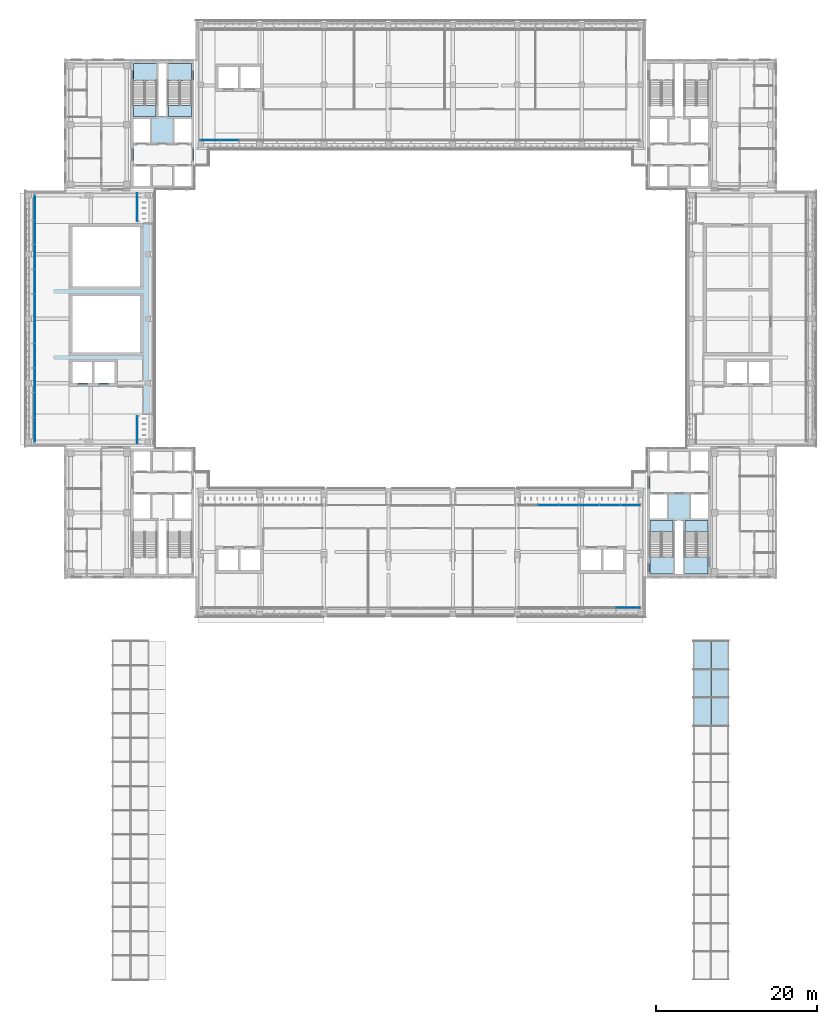
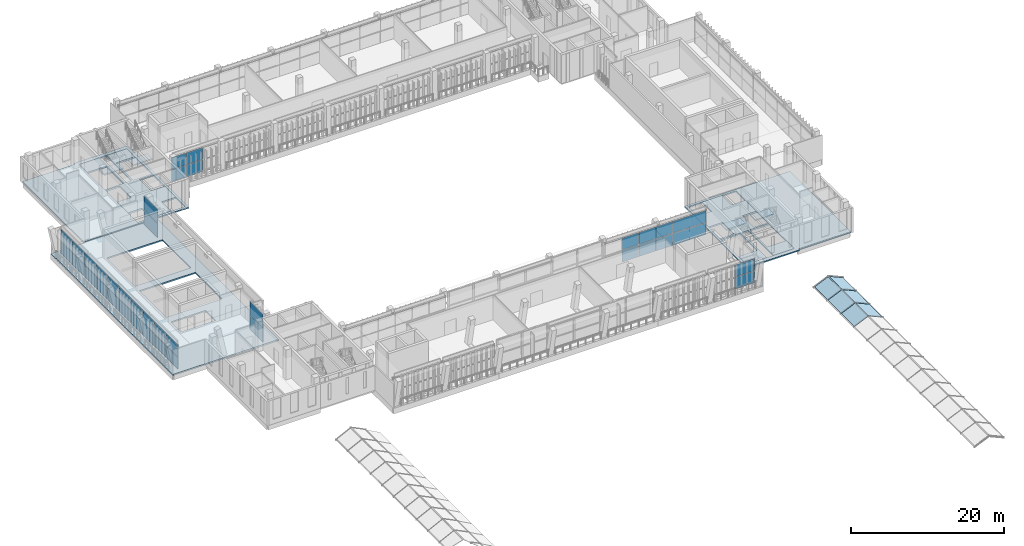
# One storey, part 39 of 73: 46 plates, 9 slabs, 11 elements without a shape of their own.
"""IFC4 building model written with IfcOpenShell, lengths in metres."""

import ifcopenshell
import ifcopenshell.guid

model = None  # the IFC model being written
_history = None  # IfcOwnerHistory: only IFC2X3 demands one
_inside = {}  # id of a spatial element -> (the spatial element, [elements in it])
_under = {}  # id of a project, library or spatial element -> (it, [spatial elements below it])
_declared = {}  # id of a project -> (the project, [libraries it declares])
_typed = {}  # id of a type object -> (the type object, [elements of that type])
_made_of = {}  # id of a material, layer set ... -> (it, [elements and type objects made of it])


def new_model(schema):
    """Start an empty IFC model of exactly this schema.

    Asked for "IFC4X3", IfcOpenShell would pick the latest addendum, in which some entities
    have other attributes; the version numbers below select the first issue.
    IFC2X3 requires an IfcOwnerHistory on every rooted entity: one is made here for all.
    """
    global model, _history
    if schema == "IFC4X3":
        model = ifcopenshell.file(schema_version=(4, 3, 0, 0))
    else:
        model = ifcopenshell.file(schema=schema)
    _inside.clear()
    _under.clear()
    _declared.clear()
    _typed.clear()
    _made_of.clear()
    _history = None
    if model.schema == "IFC2X3":
        org = make("IfcOrganization", Name="unknown")
        user = make(
            "IfcPersonAndOrganization",
            ThePerson=make("IfcPerson", FamilyName="unknown"),
            TheOrganization=org,
        )
        app = make(
            "IfcApplication",
            ApplicationDeveloper=org,
            Version="unknown",
            ApplicationFullName="unknown",
            ApplicationIdentifier="unknown",
        )
        _history = make(
            "IfcOwnerHistory",
            OwningUser=user,
            OwningApplication=app,
            ChangeAction="ADDED",
            CreationDate=0,
        )
    return model


def make(cls, **values):
    """One entity of the class cls with the attributes given. An attribute that is None is left unset."""
    return model.create_entity(
        cls, **{name: value for name, value in values.items() if value is not None}
    )


def rooted(cls, **values):
    """An entity with a GlobalId (a new one), such as an element, a storey or a relation."""
    return make(cls, GlobalId=ifcopenshell.guid.new(), OwnerHistory=_history, **values)


def si_unit(unit_type, name, prefix=None):
    """IfcSIUnit, for example si_unit("LENGTHUNIT", "METRE", prefix="MILLI")."""
    return make("IfcSIUnit", UnitType=unit_type, Prefix=prefix, Name=name)


def assignment(units):
    """IfcUnitAssignment: the units of a project."""
    return None if units is None else make("IfcUnitAssignment", Units=units)


def point(xyz):
    """IfcCartesianPoint."""
    return None if xyz is None else make("IfcCartesianPoint", Coordinates=xyz)


def direction(xyz):
    """IfcDirection."""
    return None if xyz is None else make("IfcDirection", DirectionRatios=xyz)


def frame(location, z_axis=None, x_axis=None):
    """IfcAxis2Placement3D, a coordinate frame: its origin and axes. An axis left out is left unset."""
    return make(
        "IfcAxis2Placement3D",
        Location=point(location),
        Axis=direction(z_axis),
        RefDirection=direction(x_axis),
    )


def frame_2d(location, x_axis=None):
    """IfcAxis2Placement2D, a coordinate frame in the plane: its origin and x axis."""
    return make(
        "IfcAxis2Placement2D", Location=point(location), RefDirection=direction(x_axis)
    )


def origin():
    """The frame at (0, 0, 0) with its axes left unset."""
    return frame((0.0, 0.0, 0.0))


def origin_2d():
    """The frame at (0, 0) in the plane with its x axis left unset."""
    return frame_2d((0.0, 0.0))


def place(relative_to, where):
    """IfcLocalPlacement: puts the frame where relative to a parent placement (None: the world)."""
    return make(
        "IfcLocalPlacement", PlacementRelTo=relative_to, RelativePlacement=where
    )


def context(
    kind, dimensions, precision=None, world=None, true_north=None, identifier=None
):
    """IfcGeometricRepresentationContext, for example the 3D "Model" context."""
    return make(
        "IfcGeometricRepresentationContext",
        ContextIdentifier=identifier,
        ContextType=kind,
        CoordinateSpaceDimension=dimensions,
        Precision=precision,
        WorldCoordinateSystem=world,
        TrueNorth=true_north,
    )


def subcontext(parent, identifier, kind, view, scale=None):
    """IfcGeometricRepresentationSubContext, for example "Body" below "Model"."""
    return make(
        "IfcGeometricRepresentationSubContext",
        ContextIdentifier=identifier,
        ContextType=kind,
        ParentContext=parent,
        TargetScale=scale,
        TargetView=view,
    )


def project(units=None, contexts=None):
    """IfcProject with its units and contexts."""
    return rooted(
        "IfcProject",
        Name="project",
        RepresentationContexts=contexts,
        UnitsInContext=assignment(units),
    )


def spatial(cls, under=None, at=None, **own):
    """A site, building, storey or space (cls), placed at a placement, below another one or the project."""
    s = rooted(cls, ObjectPlacement=at, **own)
    if under is not None:
        _under.setdefault(under.id(), (under, []))[1].append(s)
    return s


def polyline(points):
    """IfcPolyline through the points."""
    return make("IfcPolyline", Points=[point(p) for p in points])


def profile(cls, at=None, kind="AREA", **sizes):
    """A parametric profile (cls). Its sizes go by their IFC names, for example OverallWidth=200.0."""
    return make(cls, ProfileType=kind, Position=at, **sizes)


def rectangle(**sizes):
    """IfcRectangleProfileDef."""
    return profile("IfcRectangleProfileDef", **sizes)


def outline(outer, holes=None, kind="AREA"):
    """IfcArbitraryClosedProfileDef: a profile drawn as a closed curve; with holes, ...WithVoids."""
    if holes is None:
        return make("IfcArbitraryClosedProfileDef", ProfileType=kind, OuterCurve=outer)
    return make(
        "IfcArbitraryProfileDefWithVoids",
        ProfileType=kind,
        OuterCurve=outer,
        InnerCurves=holes,
    )


def extrude(swept, where, along, depth):
    """IfcExtrudedAreaSolid: the profile swept, set in the frame where, extruded along a direction by depth."""
    return make(
        "IfcExtrudedAreaSolid",
        SweptArea=swept,
        Position=where,
        ExtrudedDirection=direction(along),
        Depth=depth,
    )


def shape(context_of_items, identifier, shape_type, items):
    """IfcShapeRepresentation: the items that make up one representation, for example the "Body"."""
    return make(
        "IfcShapeRepresentation",
        ContextOfItems=context_of_items,
        RepresentationIdentifier=identifier,
        RepresentationType=shape_type,
        Items=items,
    )


def material(Name=None, Category=None):
    """IfcMaterial."""
    return make("IfcMaterial", Name=Name, Category=Category)


def layer(
    of_material, thickness, ventilated=None, Name=None, Category=None, Priority=None
):
    """IfcMaterialLayer: one layer of a wall or slab, of a material (None: an air gap)."""
    return make(
        "IfcMaterialLayer",
        Material=of_material,
        LayerThickness=thickness,
        IsVentilated=ventilated,
        Name=Name,
        Category=Category,
        Priority=Priority,
    )


def layer_set(layers, Name=None):
    """IfcMaterialLayerSet."""
    return make("IfcMaterialLayerSet", MaterialLayers=layers, LayerSetName=Name)


def made_of(thing, what):
    """Note that an element or type object is made of a material, layer set ...; save() writes the relation."""
    if what is not None:
        _made_of.setdefault(what.id(), (what, []))[1].append(thing)
    return thing


def type_object(cls, material=None, **own):
    """A type object (cls), such as IfcWallType, which elements share."""
    return made_of(rooted(cls, **own), material)


def element(
    cls,
    number,
    at=None,
    inside=None,
    cuts=None,
    type_object=None,
    material=None,
    context=None,
    identifier="Body",
    shape_type=None,
    held_by="IfcProductDefinitionShape",
    body=None,
    shapes=None,
    **own,
):
    """One element of the class cls, such as IfcWall. Its Tag is "e" and its number.

    at: its placement. inside: the storey or other place that contains it. cuts: it is an
    opening in that element (IfcRelVoidsElement). A single representation is given by context,
    identifier, shape_type and body (its items); several are given by shapes. held_by: the class
    of the entity that holds the representations. save() writes the other relations.
    """
    e = rooted(cls, Tag="e%d" % number, ObjectPlacement=at, **own)
    if body is not None:
        shapes = [shape(context, identifier, shape_type, body)]
    if shapes is not None:
        e.Representation = make(held_by, Representations=shapes)
    if inside is not None:
        _inside.setdefault(inside.id(), (inside, []))[1].append(e)
    if cuts is not None:
        rooted(
            "IfcRelVoidsElement", RelatingBuildingElement=cuts, RelatedOpeningElement=e
        )
    if type_object is not None:
        _typed.setdefault(type_object.id(), (type_object, []))[1].append(e)
    return made_of(e, material)


def aggregate(whole, parts):
    """IfcRelAggregates: a whole, such as a stair, and the parts it consists of."""
    return rooted("IfcRelAggregates", RelatingObject=whole, RelatedObjects=parts)


def save(model, path):
    """Write the relations noted so far, then the file.

    IfcRelAggregates (storeys below a building ...), IfcRelContainedInSpatialStructure (elements
    in a storey), IfcRelDefinesByType, IfcRelAssociatesMaterial and IfcRelDeclares: one each for
    every whole, place, type object, material and project.
    """
    for whole, parts in _under.values():
        aggregate(whole, parts)
    for where, things in _inside.values():
        rooted(
            "IfcRelContainedInSpatialStructure",
            RelatedElements=things,
            RelatingStructure=where,
        )
    for kind, things in _typed.values():
        rooted("IfcRelDefinesByType", RelatedObjects=things, RelatingType=kind)
    for what, things in _made_of.values():
        rooted("IfcRelAssociatesMaterial", RelatedObjects=things, RelatingMaterial=what)
    for by, libraries in _declared.values():
        rooted("IfcRelDeclares", RelatingContext=by, RelatedDefinitions=libraries)
    model.write(path)


model = new_model("IFC4")

# Units and contexts
model_context = context("Model", 3, precision=1e-05, world=origin(), true_north=direction((0.0, 1.0)))
body_context = subcontext(model_context, "Body", "Model", "MODEL_VIEW")
ifc_project = project(units=[si_unit("LENGTHUNIT", "METRE"), si_unit("AREAUNIT", "SQUARE_METRE"), si_unit("VOLUMEUNIT", "CUBIC_METRE"), si_unit("PLANEANGLEUNIT", "RADIAN"), si_unit("MASSUNIT", "GRAM", prefix="KILO")], contexts=[model_context])

# Site, building, storey
site_placement = place(None, origin())
site = spatial("IfcSite", under=ifc_project, at=site_placement, CompositionType="ELEMENT")
building_placement = place(site_placement, origin())
building = spatial("IfcBuilding", under=site, at=building_placement, Name="Lantern Court Media Centre", CompositionType="ELEMENT")
storey_placement = place(building_placement, frame((0.0, 0.0, 24.0)))
storey = spatial("IfcBuildingStorey", under=building, at=storey_placement, Name="L05", CompositionType="ELEMENT", Elevation=24.0)

# Slabs
ifc_material_1 = material(Name="Concrete C40", Category="concrete")
ifc_layer_1 = layer(ifc_material_1, 0.25)
ifc_layer_set_1 = layer_set([ifc_layer_1], Name="Concrete C40")
slab_type_1 = type_object("IfcSlabType", Name="Core floor slab 250", PredefinedType="FLOOR", material=ifc_layer_set_1)
slab_1_placement = place(storey_placement, frame((0.0, 0.0, -0.25)))
element("IfcSlab", 1, at=slab_1_placement, inside=storey, type_object=slab_type_1, Name="L05 SE core floor", PredefinedType="FLOOR", context=body_context, shape_type="SweptSolid", body=[
    extrude(outline(polyline([(87.64990234375, 55.199951171875), (87.64990234375, 54.94970703125), (84.80029296875, 54.94970703125), (84.80029296875, 50.450439453125), (87.64990234375, 50.450439453125), (87.64990234375, 48.35009765625), (84.550048828125, 48.35009765625), (84.550048828125, 54.949951171875), (83.550048828125, 54.949951171875), (83.550048828125, 48.35009765625), (80.449951171875, 48.35009765625), (80.449951171875, 50.450439453125), (83.299560546875, 50.450439453125), (83.299560546875, 54.94970703125), (80.449951171875, 54.94970703125), (80.449951171875, 55.199951171875), (82.550048828125, 55.199951171875), (82.550048828125, 58.199951171875), (80.449951171875, 58.199951171875), (80.449951171875, 61.10009765625), (82.550048828125, 61.10009765625), (82.550048828125, 63.550048828125), (85.550048828125, 63.550048828125), (85.550048828125, 61.10009765625), (87.64990234375, 61.10009765625), (87.64990234375, 58.199951171875), (85.550048828125, 58.199951171875), (85.550048828125, 55.199951171875), (87.64990234375, 55.199951171875)])), origin(), (0.0, 0.0, 1.0), 0.25),
])
slab_2_placement = place(storey_placement, frame((0.0, 0.0, -0.25)))
element("IfcSlab", 2, at=slab_2_placement, inside=storey, type_object=slab_type_1, Name="L05 NW core floor", PredefinedType="FLOOR", context=body_context, shape_type="SweptSolid", body=[
    extrude(outline(polyline([(16.35009765625, 104.800048828125), (16.35009765625, 105.05029296875), (19.19970703125, 105.05029296875), (19.19970703125, 109.549560546875), (16.35009765625, 109.549560546875), (16.35009765625, 111.64990234375), (19.449951171875, 111.64990234375), (19.449951171875, 105.050048828125), (20.449951171875, 105.050048828125), (20.449951171875, 111.64990234375), (23.550048828125, 111.64990234375), (23.550048828125, 109.549560546875), (20.700439453125, 109.549560546875), (20.700439453125, 105.05029296875), (23.550048828125, 105.05029296875), (23.550048828125, 104.800048828125), (21.449951171875, 104.800048828125), (21.449951171875, 101.800048828125), (23.550048828125, 101.800048828125), (23.550048828125, 98.89990234375), (21.449951171875, 98.89990234375), (21.449951171875, 96.449951171875), (18.449951171875, 96.449951171875), (18.449951171875, 98.89990234375), (16.35009765625, 98.89990234375), (16.35009765625, 101.800048828125), (18.449951171875, 101.800048828125), (18.449951171875, 104.800048828125), (16.35009765625, 104.800048828125)])), origin(), (0.0, 0.0, 1.0), 0.25),
])

# Curtain wall, plates
ifc_material_2 = material(Name="Curtain wall bay 2400")
curtain_wall_type_1 = type_object("IfcCurtainWallType", Name="Curtain wall bay 2400", PredefinedType="NOTDEFINED", material=ifc_material_2)
curtain_wall_1_placement = place(storey_placement, origin())
curtain_wall_1 = element("IfcCurtainWall", 3, at=curtain_wall_1_placement, inside=storey, type_object=curtain_wall_type_1, Name="Curtain wall S inner L05", PredefinedType="NOTDEFINED")
ifc_material_3 = material(Name="Low-iron double glazed unit glass", Category="glass")
ifc_layer_2 = layer(ifc_material_3, 0.02392578125)
ifc_layer_set_2 = layer_set([ifc_layer_2], Name="Low-iron double glazed unit glass")
plate_type_1 = type_object("IfcPlateType", Name="Curtain wall glazing unit 24", PredefinedType="CURTAIN_PANEL", material=ifc_layer_set_2)
plate_1_placement = place(storey_placement, frame((67.824951171875, 56.85009765625, 0.050048828125), z_axis=(0.0, 0.0, 1.0), x_axis=(1.0, 0.0, 0.0)))
plate_1 = element("IfcPlate", 4, at=plate_1_placement, type_object=plate_type_1, Name="CW2 panel 2.1", PredefinedType="CURTAIN_PANEL", context=body_context, shape_type="SweptSolid", body=[
    extrude(rectangle(XDim=2.5, YDim=0.02392578125, at=origin_2d()), origin(), (0.0, 0.0, 1.0), 1.89990234375),
])
plate_2_placement = place(storey_placement, frame((67.824951171875, 56.85009765625, 2.0), z_axis=(0.0, 0.0, 1.0), x_axis=(1.0, 0.0, 0.0)))
plate_2 = element("IfcPlate", 5, at=plate_2_placement, type_object=plate_type_1, Name="CW2 panel 2.2", PredefinedType="CURTAIN_PANEL", context=body_context, shape_type="SweptSolid", body=[
    extrude(rectangle(XDim=2.5, YDim=0.02392578125, at=origin_2d()), origin(), (0.0, 0.0, 1.0), 1.89990234375),
])
plate_3_placement = place(storey_placement, frame((70.375, 56.85009765625, 0.050048828125), z_axis=(0.0, 0.0, 1.0), x_axis=(1.0, 0.0, 0.0)))
plate_3 = element("IfcPlate", 6, at=plate_3_placement, type_object=plate_type_1, Name="CW2 panel 3.1", PredefinedType="CURTAIN_PANEL", context=body_context, shape_type="SweptSolid", body=[
    extrude(rectangle(XDim=2.5, YDim=0.02392578125, at=origin_2d()), origin(), (0.0, 0.0, 1.0), 1.89990234375),
])
plate_4_placement = place(storey_placement, frame((70.375, 56.85009765625, 2.0), z_axis=(0.0, 0.0, 1.0), x_axis=(1.0, 0.0, 0.0)))
plate_4 = element("IfcPlate", 7, at=plate_4_placement, type_object=plate_type_1, Name="CW2 panel 3.2", PredefinedType="CURTAIN_PANEL", context=body_context, shape_type="SweptSolid", body=[
    extrude(rectangle(XDim=2.5, YDim=0.02392578125, at=origin_2d()), origin(), (0.0, 0.0, 1.0), 1.89990234375),
])
plate_5_placement = place(storey_placement, frame((72.925048828125, 56.85009765625, 0.050048828125), z_axis=(0.0, 0.0, 1.0), x_axis=(1.0, 0.0, 0.0)))
plate_5 = element("IfcPlate", 8, at=plate_5_placement, type_object=plate_type_1, Name="CW2 panel 4.1", PredefinedType="CURTAIN_PANEL", context=body_context, shape_type="SweptSolid", body=[
    extrude(rectangle(XDim=2.5, YDim=0.02392578125, at=origin_2d()), origin(), (0.0, 0.0, 1.0), 1.89990234375),
])
plate_6_placement = place(storey_placement, frame((72.925048828125, 56.85009765625, 2.0), z_axis=(0.0, 0.0, 1.0), x_axis=(1.0, 0.0, 0.0)))
plate_6 = element("IfcPlate", 9, at=plate_6_placement, type_object=plate_type_1, Name="CW2 panel 4.2", PredefinedType="CURTAIN_PANEL", context=body_context, shape_type="SweptSolid", body=[
    extrude(rectangle(XDim=2.5, YDim=0.02392578125, at=origin_2d()), origin(), (0.0, 0.0, 1.0), 1.89990234375),
])
plate_7_placement = place(storey_placement, frame((75.47509765625, 56.85009765625, 0.050048828125), z_axis=(0.0, 0.0, 1.0), x_axis=(1.0, 0.0, 0.0)))
plate_7 = element("IfcPlate", 10, at=plate_7_placement, type_object=plate_type_1, Name="CW2 panel 5.1", PredefinedType="CURTAIN_PANEL", context=body_context, shape_type="SweptSolid", body=[
    extrude(rectangle(XDim=2.5, YDim=0.02392578125, at=origin_2d()), origin(), (0.0, 0.0, 1.0), 1.89990234375),
])
plate_8_placement = place(storey_placement, frame((75.47509765625, 56.85009765625, 2.0), z_axis=(0.0, 0.0, 1.0), x_axis=(1.0, 0.0, 0.0)))
plate_8 = element("IfcPlate", 11, at=plate_8_placement, type_object=plate_type_1, Name="CW2 panel 5.2", PredefinedType="CURTAIN_PANEL", context=body_context, shape_type="SweptSolid", body=[
    extrude(rectangle(XDim=2.5, YDim=0.02392578125, at=origin_2d()), origin(), (0.0, 0.0, 1.0), 1.89990234375),
])
plate_9_placement = place(storey_placement, frame((78.012451171875, 56.85009765625, 0.050048828125), z_axis=(0.0, 0.0, 1.0), x_axis=(1.0, 0.0, 0.0)))
plate_9 = element("IfcPlate", 12, at=plate_9_placement, type_object=plate_type_1, Name="CW2 panel 6.1", PredefinedType="CURTAIN_PANEL", context=body_context, shape_type="SweptSolid", body=[
    extrude(rectangle(XDim=2.47509765625, YDim=0.02392578125, at=origin_2d()), origin(), (0.0, 0.0, 1.0), 1.89990234375),
])
plate_10_placement = place(storey_placement, frame((78.012451171875, 56.85009765625, 2.0), z_axis=(0.0, 0.0, 1.0), x_axis=(1.0, 0.0, 0.0)))
plate_10 = element("IfcPlate", 13, at=plate_10_placement, type_object=plate_type_1, Name="CW2 panel 6.2", PredefinedType="CURTAIN_PANEL", context=body_context, shape_type="SweptSolid", body=[
    extrude(rectangle(XDim=2.47509765625, YDim=0.02392578125, at=origin_2d()), origin(), (0.0, 0.0, 1.0), 1.89990234375),
])
aggregate(curtain_wall_1, [plate_1, plate_2, plate_3, plate_4, plate_5, plate_6, plate_7, plate_8, plate_9, plate_10])

curtain_wall_2_placement = place(storey_placement, origin())
curtain_wall_2 = element("IfcCurtainWall", 14, at=curtain_wall_2_placement, inside=storey, type_object=curtain_wall_type_1, Name="Curtain wall N inner L05", PredefinedType="NOTDEFINED")
plate_11_placement = place(storey_placement, frame((25.8994140625, 102.14990234375, 0.050048828125), z_axis=(0.0, 0.0, 1.0), x_axis=(1.0, 0.0, 0.0)))
plate_11 = element("IfcPlate", 15, at=plate_11_placement, type_object=plate_type_1, Name="CW2 panel 1.1", PredefinedType="CURTAIN_PANEL", context=body_context, shape_type="SweptSolid", body=[
    extrude(rectangle(XDim=2.298828125, YDim=0.02392578125, at=origin_2d()), origin(), (0.0, 0.0, 1.0), 1.89990234375),
])
plate_12_placement = place(storey_placement, frame((25.8994140625, 102.14990234375, 2.0), z_axis=(0.0, 0.0, 1.0), x_axis=(1.0, 0.0, 0.0)))
plate_12 = element("IfcPlate", 16, at=plate_12_placement, type_object=plate_type_1, Name="CW2 panel 1.2", PredefinedType="CURTAIN_PANEL", context=body_context, shape_type="SweptSolid", body=[
    extrude(rectangle(XDim=2.298828125, YDim=0.02392578125, at=origin_2d()), origin(), (0.0, 0.0, 1.0), 1.89990234375),
])
plate_13_placement = place(storey_placement, frame((28.260986328125, 102.14990234375, 0.050048828125), z_axis=(0.0, 0.0, 1.0), x_axis=(1.0, 0.0, 0.0)))
plate_13 = element("IfcPlate", 17, at=plate_13_placement, type_object=plate_type_1, Name="CW2 panel 2.1", PredefinedType="CURTAIN_PANEL", context=body_context, shape_type="SweptSolid", body=[
    extrude(rectangle(XDim=2.323974609375, YDim=0.02392578125, at=origin_2d()), origin(), (0.0, 0.0, 1.0), 1.89990234375),
])
plate_14_placement = place(storey_placement, frame((28.260986328125, 102.14990234375, 2.0), z_axis=(0.0, 0.0, 1.0), x_axis=(1.0, 0.0, 0.0)))
plate_14 = element("IfcPlate", 18, at=plate_14_placement, type_object=plate_type_1, Name="CW2 panel 2.2", PredefinedType="CURTAIN_PANEL", context=body_context, shape_type="SweptSolid", body=[
    extrude(rectangle(XDim=2.323974609375, YDim=0.02392578125, at=origin_2d()), origin(), (0.0, 0.0, 1.0), 1.89990234375),
])
aggregate(curtain_wall_2, [plate_11, plate_12, plate_13, plate_14])

curtain_wall_3_placement = place(storey_placement, origin())
curtain_wall_3 = element("IfcCurtainWall", 19, at=curtain_wall_3_placement, inside=storey, type_object=curtain_wall_type_1, Name="Curtain wall W inner L05", PredefinedType="NOTDEFINED")
plate_15_placement = place(storey_placement, frame((16.85009765625, 66.18505859375, 0.0498046875), z_axis=(0.0, 0.0, 1.0), x_axis=(0.0, 1.0, 0.0)))
plate_15 = element("IfcPlate", 20, at=plate_15_placement, type_object=plate_type_1, Name="CW2 panel 1.1", PredefinedType="CURTAIN_PANEL", context=body_context, shape_type="SweptSolid", body=[
    extrude(rectangle(XDim=3.429931640625, YDim=0.02392578125, at=origin_2d()), origin(), (0.0, 0.0, 1.0), 2.215087890625),
])
plate_16_placement = place(storey_placement, frame((16.85009765625, 66.18505859375, 2.31494140625), z_axis=(0.0, 0.0, 1.0), x_axis=(0.0, 1.0, 0.0)))
plate_16 = element("IfcPlate", 21, at=plate_16_placement, type_object=plate_type_1, Name="CW2 panel 1.2", PredefinedType="CURTAIN_PANEL", context=body_context, shape_type="SweptSolid", body=[
    extrude(rectangle(XDim=3.429931640625, YDim=0.02392578125, at=origin_2d()), origin(), (0.0, 0.0, 1.0), 2.215087890625),
])
aggregate(curtain_wall_3, [plate_15, plate_16])

curtain_wall_4_placement = place(storey_placement, origin())
curtain_wall_4 = element("IfcCurtainWall", 22, at=curtain_wall_4_placement, inside=storey, type_object=curtain_wall_type_1, Name="Curtain wall W inner L05", PredefinedType="NOTDEFINED")
plate_17_placement = place(storey_placement, frame((16.85009765625, 93.81494140625, 0.0498046875), z_axis=(0.0, 0.0, 1.0), x_axis=(0.0, 1.0, 0.0)))
plate_17 = element("IfcPlate", 23, at=plate_17_placement, type_object=plate_type_1, Name="CW2 panel 1.1", PredefinedType="CURTAIN_PANEL", context=body_context, shape_type="SweptSolid", body=[
    extrude(rectangle(XDim=3.429931640625, YDim=0.02392578125, at=origin_2d()), origin(), (0.0, 0.0, 1.0), 2.215087890625),
])
plate_18_placement = place(storey_placement, frame((16.85009765625, 93.81494140625, 2.31494140625), z_axis=(0.0, 0.0, 1.0), x_axis=(0.0, 1.0, 0.0)))
plate_18 = element("IfcPlate", 24, at=plate_18_placement, type_object=plate_type_1, Name="CW2 panel 1.2", PredefinedType="CURTAIN_PANEL", context=body_context, shape_type="SweptSolid", body=[
    extrude(rectangle(XDim=3.429931640625, YDim=0.02392578125, at=origin_2d()), origin(), (0.0, 0.0, 1.0), 2.215087890625),
])
aggregate(curtain_wall_4, [plate_17, plate_18])

ifc_material_4 = material(Name="Curtain wall bay 3000")
curtain_wall_type_2 = type_object("IfcCurtainWallType", Name="Curtain wall bay 3000", PredefinedType="NOTDEFINED", material=ifc_material_4)
curtain_wall_5_placement = place(storey_placement, origin())
curtain_wall_5 = element("IfcCurtainWall", 25, at=curtain_wall_5_placement, inside=storey, type_object=curtain_wall_type_2, Name="Curtain wall S outer L05", PredefinedType="NOTDEFINED")
ifc_layer_3 = layer(ifc_material_3, 0.028076171875)
ifc_layer_set_3 = layer_set([ifc_layer_3], Name="Low-iron double glazed unit glass")
plate_type_2 = type_object("IfcPlateType", Name="Curtain wall glazing unit 28", PredefinedType="CURTAIN_PANEL", material=ifc_layer_set_3)
plate_19_placement = place(storey_placement, frame((77.7548828125, 44.14990234375, 0.06005859375), z_axis=(0.0, 0.0, 1.0), x_axis=(1.0, 0.0, 0.0)))
plate_19 = element("IfcPlate", 26, at=plate_19_placement, type_object=plate_type_2, Name="CW1 panel 5.1", PredefinedType="CURTAIN_PANEL", context=body_context, shape_type="SweptSolid", body=[
    extrude(rectangle(XDim=2.969970703125, YDim=0.028076171875, at=origin_2d()), origin(), (0.0, 0.0, 1.0), 1.885009765625),
])
plate_20_placement = place(storey_placement, frame((77.7548828125, 44.14990234375, 2.0048828125), z_axis=(0.0, 0.0, 1.0), x_axis=(1.0, 0.0, 0.0)))
plate_20 = element("IfcPlate", 27, at=plate_20_placement, type_object=plate_type_2, Name="CW1 panel 5.2", PredefinedType="CURTAIN_PANEL", context=body_context, shape_type="SweptSolid", body=[
    extrude(rectangle(XDim=2.969970703125, YDim=0.028076171875, at=origin_2d()), origin(), (0.0, 0.0, 1.0), 1.885009765625),
])
aggregate(curtain_wall_5, [plate_19, plate_20])

curtain_wall_6_placement = place(storey_placement, origin())
curtain_wall_6 = element("IfcCurtainWall", 28, at=curtain_wall_6_placement, inside=storey, type_object=curtain_wall_type_2, Name="Curtain wall W outer L05", PredefinedType="NOTDEFINED")
plate_21_placement = place(storey_placement, frame((4.14990234375, 66.2451171875, 0.06005859375), z_axis=(0.0, 0.0, 1.0), x_axis=(0.0, 1.0, 0.0)))
plate_21 = element("IfcPlate", 29, at=plate_21_placement, type_object=plate_type_2, Name="CW1 panel 1.1", PredefinedType="CURTAIN_PANEL", context=body_context, shape_type="SweptSolid", body=[
    extrude(rectangle(XDim=2.969970703125, YDim=0.028076171875, at=origin_2d()), origin(), (0.0, 0.0, 1.0), 1.885009765625),
])
plate_22_placement = place(storey_placement, frame((4.14990234375, 66.2451171875, 2.0048828125), z_axis=(0.0, 0.0, 1.0), x_axis=(0.0, 1.0, 0.0)))
plate_22 = element("IfcPlate", 30, at=plate_22_placement, type_object=plate_type_2, Name="CW1 panel 1.2", PredefinedType="CURTAIN_PANEL", context=body_context, shape_type="SweptSolid", body=[
    extrude(rectangle(XDim=2.969970703125, YDim=0.028076171875, at=origin_2d()), origin(), (0.0, 0.0, 1.0), 1.885009765625),
])
plate_23_placement = place(storey_placement, frame((4.14990234375, 69.2900390625, 0.06005859375), z_axis=(0.0, 0.0, 1.0), x_axis=(0.0, 1.0, 0.0)))
plate_23 = element("IfcPlate", 31, at=plate_23_placement, type_object=plate_type_2, Name="CW1 panel 2.1", PredefinedType="CURTAIN_PANEL", context=body_context, shape_type="SweptSolid", body=[
    extrude(rectangle(XDim=3.0, YDim=0.028076171875, at=origin_2d()), origin(), (0.0, 0.0, 1.0), 1.885009765625),
])
plate_24_placement = place(storey_placement, frame((4.14990234375, 69.2900390625, 2.0048828125), z_axis=(0.0, 0.0, 1.0), x_axis=(0.0, 1.0, 0.0)))
plate_24 = element("IfcPlate", 32, at=plate_24_placement, type_object=plate_type_2, Name="CW1 panel 2.2", PredefinedType="CURTAIN_PANEL", context=body_context, shape_type="SweptSolid", body=[
    extrude(rectangle(XDim=3.0, YDim=0.028076171875, at=origin_2d()), origin(), (0.0, 0.0, 1.0), 1.885009765625),
])
plate_25_placement = place(storey_placement, frame((4.14990234375, 72.35009765625, 0.06005859375), z_axis=(0.0, 0.0, 1.0), x_axis=(0.0, 1.0, 0.0)))
plate_25 = element("IfcPlate", 33, at=plate_25_placement, type_object=plate_type_2, Name="CW1 panel 3.1", PredefinedType="CURTAIN_PANEL", context=body_context, shape_type="SweptSolid", body=[
    extrude(rectangle(XDim=3.0, YDim=0.028076171875, at=origin_2d()), origin(), (0.0, 0.0, 1.0), 1.885009765625),
])
plate_26_placement = place(storey_placement, frame((4.14990234375, 72.35009765625, 2.0048828125), z_axis=(0.0, 0.0, 1.0), x_axis=(0.0, 1.0, 0.0)))
plate_26 = element("IfcPlate", 34, at=plate_26_placement, type_object=plate_type_2, Name="CW1 panel 3.2", PredefinedType="CURTAIN_PANEL", context=body_context, shape_type="SweptSolid", body=[
    extrude(rectangle(XDim=3.0, YDim=0.028076171875, at=origin_2d()), origin(), (0.0, 0.0, 1.0), 1.885009765625),
])
plate_27_placement = place(storey_placement, frame((4.14990234375, 75.409912109375, 0.06005859375), z_axis=(0.0, 0.0, 1.0), x_axis=(0.0, 1.0, 0.0)))
plate_27 = element("IfcPlate", 35, at=plate_27_placement, type_object=plate_type_2, Name="CW1 panel 4.1", PredefinedType="CURTAIN_PANEL", context=body_context, shape_type="SweptSolid", body=[
    extrude(rectangle(XDim=3.0, YDim=0.028076171875, at=origin_2d()), origin(), (0.0, 0.0, 1.0), 1.885009765625),
])
plate_28_placement = place(storey_placement, frame((4.14990234375, 75.409912109375, 2.0048828125), z_axis=(0.0, 0.0, 1.0), x_axis=(0.0, 1.0, 0.0)))
plate_28 = element("IfcPlate", 36, at=plate_28_placement, type_object=plate_type_2, Name="CW1 panel 4.2", PredefinedType="CURTAIN_PANEL", context=body_context, shape_type="SweptSolid", body=[
    extrude(rectangle(XDim=3.0, YDim=0.028076171875, at=origin_2d()), origin(), (0.0, 0.0, 1.0), 1.885009765625),
])
plate_29_placement = place(storey_placement, frame((4.14990234375, 78.469970703125, 0.06005859375), z_axis=(0.0, 0.0, 1.0), x_axis=(0.0, 1.0, 0.0)))
plate_29 = element("IfcPlate", 37, at=plate_29_placement, type_object=plate_type_2, Name="CW1 panel 5.1", PredefinedType="CURTAIN_PANEL", context=body_context, shape_type="SweptSolid", body=[
    extrude(rectangle(XDim=3.0, YDim=0.028076171875, at=origin_2d()), origin(), (0.0, 0.0, 1.0), 1.885009765625),
])
plate_30_placement = place(storey_placement, frame((4.14990234375, 78.469970703125, 2.0048828125), z_axis=(0.0, 0.0, 1.0), x_axis=(0.0, 1.0, 0.0)))
plate_30 = element("IfcPlate", 38, at=plate_30_placement, type_object=plate_type_2, Name="CW1 panel 5.2", PredefinedType="CURTAIN_PANEL", context=body_context, shape_type="SweptSolid", body=[
    extrude(rectangle(XDim=3.0, YDim=0.028076171875, at=origin_2d()), origin(), (0.0, 0.0, 1.0), 1.885009765625),
])
plate_31_placement = place(storey_placement, frame((4.14990234375, 81.530029296875, 0.06005859375), z_axis=(0.0, 0.0, 1.0), x_axis=(0.0, 1.0, 0.0)))
plate_31 = element("IfcPlate", 39, at=plate_31_placement, type_object=plate_type_2, Name="CW1 panel 6.1", PredefinedType="CURTAIN_PANEL", context=body_context, shape_type="SweptSolid", body=[
    extrude(rectangle(XDim=3.0, YDim=0.028076171875, at=origin_2d()), origin(), (0.0, 0.0, 1.0), 1.885009765625),
])
plate_32_placement = place(storey_placement, frame((4.14990234375, 81.530029296875, 2.0048828125), z_axis=(0.0, 0.0, 1.0), x_axis=(0.0, 1.0, 0.0)))
plate_32 = element("IfcPlate", 40, at=plate_32_placement, type_object=plate_type_2, Name="CW1 panel 6.2", PredefinedType="CURTAIN_PANEL", context=body_context, shape_type="SweptSolid", body=[
    extrude(rectangle(XDim=3.0, YDim=0.028076171875, at=origin_2d()), origin(), (0.0, 0.0, 1.0), 1.885009765625),
])
plate_33_placement = place(storey_placement, frame((4.14990234375, 84.590087890625, 0.06005859375), z_axis=(0.0, 0.0, 1.0), x_axis=(0.0, 1.0, 0.0)))
plate_33 = element("IfcPlate", 41, at=plate_33_placement, type_object=plate_type_2, Name="CW1 panel 7.1", PredefinedType="CURTAIN_PANEL", context=body_context, shape_type="SweptSolid", body=[
    extrude(rectangle(XDim=3.0, YDim=0.028076171875, at=origin_2d()), origin(), (0.0, 0.0, 1.0), 1.885009765625),
])
plate_34_placement = place(storey_placement, frame((4.14990234375, 84.590087890625, 2.0048828125), z_axis=(0.0, 0.0, 1.0), x_axis=(0.0, 1.0, 0.0)))
plate_34 = element("IfcPlate", 42, at=plate_34_placement, type_object=plate_type_2, Name="CW1 panel 7.2", PredefinedType="CURTAIN_PANEL", context=body_context, shape_type="SweptSolid", body=[
    extrude(rectangle(XDim=3.0, YDim=0.028076171875, at=origin_2d()), origin(), (0.0, 0.0, 1.0), 1.885009765625),
])
plate_35_placement = place(storey_placement, frame((4.14990234375, 87.64990234375, 0.06005859375), z_axis=(0.0, 0.0, 1.0), x_axis=(0.0, 1.0, 0.0)))
plate_35 = element("IfcPlate", 43, at=plate_35_placement, type_object=plate_type_2, Name="CW1 panel 8.1", PredefinedType="CURTAIN_PANEL", context=body_context, shape_type="SweptSolid", body=[
    extrude(rectangle(XDim=3.0, YDim=0.028076171875, at=origin_2d()), origin(), (0.0, 0.0, 1.0), 1.885009765625),
])
plate_36_placement = place(storey_placement, frame((4.14990234375, 87.64990234375, 2.0048828125), z_axis=(0.0, 0.0, 1.0), x_axis=(0.0, 1.0, 0.0)))
plate_36 = element("IfcPlate", 44, at=plate_36_placement, type_object=plate_type_2, Name="CW1 panel 8.2", PredefinedType="CURTAIN_PANEL", context=body_context, shape_type="SweptSolid", body=[
    extrude(rectangle(XDim=3.0, YDim=0.028076171875, at=origin_2d()), origin(), (0.0, 0.0, 1.0), 1.885009765625),
])
plate_37_placement = place(storey_placement, frame((4.14990234375, 90.7099609375, 0.06005859375), z_axis=(0.0, 0.0, 1.0), x_axis=(0.0, 1.0, 0.0)))
plate_37 = element("IfcPlate", 45, at=plate_37_placement, type_object=plate_type_2, Name="CW1 panel 9.1", PredefinedType="CURTAIN_PANEL", context=body_context, shape_type="SweptSolid", body=[
    extrude(rectangle(XDim=3.0, YDim=0.028076171875, at=origin_2d()), origin(), (0.0, 0.0, 1.0), 1.885009765625),
])
plate_38_placement = place(storey_placement, frame((4.14990234375, 90.7099609375, 2.0048828125), z_axis=(0.0, 0.0, 1.0), x_axis=(0.0, 1.0, 0.0)))
plate_38 = element("IfcPlate", 46, at=plate_38_placement, type_object=plate_type_2, Name="CW1 panel 9.2", PredefinedType="CURTAIN_PANEL", context=body_context, shape_type="SweptSolid", body=[
    extrude(rectangle(XDim=3.0, YDim=0.028076171875, at=origin_2d()), origin(), (0.0, 0.0, 1.0), 1.885009765625),
])
plate_39_placement = place(storey_placement, frame((4.14990234375, 93.7548828125, 0.06005859375), z_axis=(0.0, 0.0, 1.0), x_axis=(0.0, 1.0, 0.0)))
plate_39 = element("IfcPlate", 47, at=plate_39_placement, type_object=plate_type_2, Name="CW1 panel 10.1", PredefinedType="CURTAIN_PANEL", context=body_context, shape_type="SweptSolid", body=[
    extrude(rectangle(XDim=2.969970703125, YDim=0.028076171875, at=origin_2d()), origin(), (0.0, 0.0, 1.0), 1.885009765625),
])
plate_40_placement = place(storey_placement, frame((4.14990234375, 93.7548828125, 2.0048828125), z_axis=(0.0, 0.0, 1.0), x_axis=(0.0, 1.0, 0.0)))
plate_40 = element("IfcPlate", 48, at=plate_40_placement, type_object=plate_type_2, Name="CW1 panel 10.2", PredefinedType="CURTAIN_PANEL", context=body_context, shape_type="SweptSolid", body=[
    extrude(rectangle(XDim=2.969970703125, YDim=0.028076171875, at=origin_2d()), origin(), (0.0, 0.0, 1.0), 1.885009765625),
])
aggregate(curtain_wall_6, [plate_21, plate_22, plate_23, plate_24, plate_25, plate_26, plate_27, plate_28, plate_29, plate_30, plate_31, plate_32, plate_33, plate_34, plate_35, plate_36, plate_37, plate_38, plate_39, plate_40])

ifc_material_5 = material(Name="Aluminium and glass", Category="aluminium")
ifc_layer_4 = layer(ifc_material_5, 0.14990234375)
ifc_layer_set_4 = layer_set([ifc_layer_4], Name="Aluminium and glass")
curtain_wall_type_3 = type_object("IfcCurtainWallType", Name="Hall lancet glazing", PredefinedType="NOTDEFINED", material=ifc_layer_set_4)
curtain_wall_7_placement = place(storey_placement, origin())
curtain_wall_7 = element("IfcCurtainWall", 49, at=curtain_wall_7_placement, inside=storey, type_object=curtain_wall_type_3, Name="Studio Hall ridge roof-light", PredefinedType="NOTDEFINED")
ifc_material_6 = material(Name="Laminated glass 8+8", Category="glass")
ifc_layer_5 = layer(ifc_material_6, 0.06005859375)
ifc_layer_set_5 = layer_set([ifc_layer_5], Name="Laminated glass 8+8")
plate_type_3 = type_object("IfcPlateType", Name="Hall roof-light glazing", PredefinedType="CURTAIN_PANEL", material=ifc_layer_set_5)
placement = place(building_placement, frame((0.0, 0.0, 19.199951171875)))
plate_41_placement = place(placement, frame((85.87744140625, 29.530029296875, 4.38671875), z_axis=(-0.408178350475, 0.0, 0.912902204074), x_axis=(0.912902204074, 0.0, 0.408178350475)))
plate_41 = element("IfcPlate", 50, at=plate_41_placement, type_object=plate_type_3, Name="Studio Hall roof-light panel", PredefinedType="CURTAIN_PANEL", context=body_context, shape_type="SweptSolid", body=[
    extrude(outline(polyline([(0.0, 0.0), (2.2531271766514522, 0.0), (2.2531271766514522, 3.43994140625), (0.0, 3.43994140625), (0.0, 0.0)])), origin(), (0.0, 0.0, -1.0), 0.06005859375),
])
plate_42_placement = place(placement, frame((85.87744140625, 33.030029296875, 4.38671875), z_axis=(-0.408178350475, 0.0, 0.912902204074), x_axis=(0.912902204074, 0.0, 0.408178350475)))
plate_42 = element("IfcPlate", 51, at=plate_42_placement, type_object=plate_type_3, Name="Studio Hall roof-light panel", PredefinedType="CURTAIN_PANEL", context=body_context, shape_type="SweptSolid", body=[
    extrude(outline(polyline([(0.0, 0.0), (2.2531271766514522, 0.0), (2.2531271766514522, 3.43994140625), (0.0, 3.43994140625), (0.0, 0.0)])), origin(), (0.0, 0.0, -1.0), 0.06005859375),
])
plate_43_placement = place(placement, frame((85.87744140625, 36.530029296875, 4.38671875), z_axis=(-0.408178350475, 0.0, 0.912902204074), x_axis=(0.912902204074, 0.0, 0.408178350475)))
plate_43 = element("IfcPlate", 52, at=plate_43_placement, type_object=plate_type_3, Name="Studio Hall roof-light panel", PredefinedType="CURTAIN_PANEL", context=body_context, shape_type="SweptSolid", body=[
    extrude(outline(polyline([(0.0, 0.0), (2.2531271766514522, 0.0), (2.2531271766514522, 3.43994140625), (0.0, 3.43994140625), (0.0, 0.0)])), origin(), (0.0, 0.0, -1.0), 0.06005859375),
])
plate_44_placement = place(storey_placement, frame((88.065673828125, 29.530029296875, 0.50634765625), z_axis=(0.408178350475, 0.0, 0.912902204074), x_axis=(0.912902204074, 0.0, -0.408178350475)))
plate_44 = element("IfcPlate", 53, at=plate_44_placement, type_object=plate_type_3, Name="Studio Hall roof-light panel", PredefinedType="CURTAIN_PANEL", context=body_context, shape_type="SweptSolid", body=[
    extrude(outline(polyline([(0.0, 0.0), (2.2531271766514522, 0.0), (2.2531271766514522, 3.43994140625), (0.0, 3.43994140625), (0.0, 0.0)])), origin(), (0.0, 0.0, -1.0), 0.06005859375),
])
plate_45_placement = place(storey_placement, frame((88.065673828125, 33.030029296875, 0.50634765625), z_axis=(0.408178350475, 0.0, 0.912902204074), x_axis=(0.912902204074, 0.0, -0.408178350475)))
plate_45 = element("IfcPlate", 54, at=plate_45_placement, type_object=plate_type_3, Name="Studio Hall roof-light panel", PredefinedType="CURTAIN_PANEL", context=body_context, shape_type="SweptSolid", body=[
    extrude(outline(polyline([(0.0, 0.0), (2.2531271766514522, 0.0), (2.2531271766514522, 3.43994140625), (0.0, 3.43994140625), (0.0, 0.0)])), origin(), (0.0, 0.0, -1.0), 0.06005859375),
])
plate_46_placement = place(storey_placement, frame((88.065673828125, 36.530029296875, 0.50634765625), z_axis=(0.408178350475, 0.0, 0.912902204074), x_axis=(0.912902204074, 0.0, -0.408178350475)))
plate_46 = element("IfcPlate", 55, at=plate_46_placement, type_object=plate_type_3, Name="Studio Hall roof-light panel", PredefinedType="CURTAIN_PANEL", context=body_context, shape_type="SweptSolid", body=[
    extrude(outline(polyline([(0.0, 0.0), (2.2531271766514522, 0.0), (2.2531271766514522, 3.43994140625), (0.0, 3.43994140625), (0.0, 0.0)])), origin(), (0.0, 0.0, -1.0), 0.06005859375),
])
aggregate(curtain_wall_7, [plate_41, plate_42, plate_43, plate_44, plate_45, plate_46])

# Slabs
ifc_material_7 = material(Name="Concrete C35", Category="concrete")
ifc_layer_6 = layer(ifc_material_7, 0.199951171875)
ifc_layer_set_6 = layer_set([ifc_layer_6], Name="Concrete C35")
slab_type_2 = type_object("IfcSlabType", Name="RC FLOOR SLAB 200", PredefinedType="FLOOR", material=ifc_layer_set_6)
slab_3_placement = place(storey_placement, frame((0.0, 0.0, -0.199951171875)))
element("IfcSlab", 56, at=slab_3_placement, inside=storey, type_object=slab_type_2, Name="SL-SE-L05", PredefinedType="FLOOR", context=body_context, shape_type="SweptSolid", body=[
    extrude(outline(polyline([(80.10009765625, 63.89990234375), (96.0, 63.89990234375), (96.0, 48.0), (88.10009765625, 48.0), (88.10009765625, 47.780029296875), (80.10009765625, 47.780029296875), (80.10009765625, 48.0), (80.10009765625, 63.89990234375)]), holes=[polyline([(80.449951171875, 63.550048828125), (80.449951171875, 48.35009765625), (87.64990234375, 48.35009765625), (87.64990234375, 63.550048828125), (80.449951171875, 63.550048828125)])]), origin(), (0.0, 0.0, 1.0), 0.199951171875),
])
slab_4_placement = place(storey_placement, frame((0.0, 0.0, -0.199951171875)))
element("IfcSlab", 57, at=slab_4_placement, inside=storey, type_object=slab_type_2, Name="SL-NW-L05", PredefinedType="FLOOR", context=body_context, shape_type="SweptSolid", body=[
    extrude(outline(polyline([(8.0, 112.0), (15.89990234375, 112.0), (15.89990234375, 112.219970703125), (23.89990234375, 112.219970703125), (23.89990234375, 112.0), (23.89990234375, 96.10009765625), (8.0, 96.10009765625), (8.0, 112.0)]), holes=[polyline([(16.35009765625, 111.64990234375), (16.35009765625, 96.449951171875), (23.550048828125, 96.449951171875), (23.550048828125, 111.64990234375), (16.35009765625, 111.64990234375)])]), origin(), (0.0, 0.0, 1.0), 0.199951171875),
])
ifc_layer_7 = layer(ifc_material_7, 0.219970703125)
ifc_layer_set_7 = layer_set([ifc_layer_7], Name="Concrete C35")
slab_type_3 = type_object("IfcSlabType", Name="RC FLOOR SLAB 220", PredefinedType="FLOOR", material=ifc_layer_set_7)
slab_5_placement = place(storey_placement, frame((0.0, 0.0, -0.219970703125)))
element("IfcSlab", 58, at=slab_5_placement, inside=storey, type_object=slab_type_3, Name="SL-W-L05", PredefinedType="FLOOR", context=body_context, shape_type="SweptSolid", body=[
    extrude(outline(polyline([(3.0, 64.10009765625), (3.0, 95.89990234375), (19.0, 95.89990234375), (19.0, 64.10009765625), (3.0, 64.10009765625)]), holes=[polyline([(14.0, 72.0), (14.0, 74.60009765625), (8.800048828125, 74.60009765625), (8.800048828125, 72.0), (14.0, 72.0)]), polyline([(8.800048828125, 75.800048828125), (17.199951171875, 75.800048828125), (17.199951171875, 82.800048828125), (8.800048828125, 82.800048828125), (8.800048828125, 75.800048828125)]), polyline([(8.800048828125, 84.0), (17.199951171875, 84.0), (17.199951171875, 91.39990234375), (8.800048828125, 91.39990234375), (8.800048828125, 84.0)])]), origin(), (0.0, 0.0, 1.0), 0.219970703125),
])

# Stair, slab
stair_type = type_object("IfcStairType", Name="Exit stair 1350", PredefinedType="HALF_TURN_STAIR", material=ifc_material_1)
stair_1_placement = place(storey_placement, origin())
stair_1 = element("IfcStair", 59, at=stair_1_placement, inside=storey, type_object=stair_type, Name="L05 SE exit stair A", PredefinedType="HALF_TURN_STAIR")
ifc_layer_8 = layer(ifc_material_1, 0.199951171875)
ifc_layer_set_8 = layer_set([ifc_layer_8], Name="Concrete C40")
slab_type_4 = type_object("IfcSlabType", Name="Stair landing RC 200", PredefinedType="LANDING", material=ifc_layer_set_8)
slab_6_placement = place(storey_placement, frame((0.0, 0.0, 2.199951171875)))
slab_6 = element("IfcSlab", 60, at=slab_6_placement, type_object=slab_type_4, Name="ST-SEA landing 1", PredefinedType="LANDING", context=body_context, shape_type="SweptSolid", body=[
    extrude(outline(polyline([(87.64990234375, 53.570068359375), (87.64990234375, 54.949951171875), (84.800048828125, 54.949951171875), (84.800048828125, 53.570068359375), (87.64990234375, 53.570068359375)])), origin(), (0.0, 0.0, 1.0), 0.199951171875),
])
aggregate(stair_1, [slab_6])

stair_2_placement = place(storey_placement, origin())
stair_2 = element("IfcStair", 61, at=stair_2_placement, inside=storey, type_object=stair_type, Name="L05 SE exit stair B", PredefinedType="HALF_TURN_STAIR")
slab_7_placement = place(storey_placement, frame((0.0, 0.0, 2.199951171875)))
slab_7 = element("IfcSlab", 62, at=slab_7_placement, type_object=slab_type_4, Name="ST-SEB landing 1", PredefinedType="LANDING", context=body_context, shape_type="SweptSolid", body=[
    extrude(outline(polyline([(83.300048828125, 53.570068359375), (83.300048828125, 54.949951171875), (80.449951171875, 54.949951171875), (80.449951171875, 53.570068359375), (83.300048828125, 53.570068359375)])), origin(), (0.0, 0.0, 1.0), 0.199951171875),
])
aggregate(stair_2, [slab_7])

stair_3_placement = place(storey_placement, origin())
stair_3 = element("IfcStair", 63, at=stair_3_placement, inside=storey, type_object=stair_type, Name="L05 NW exit stair A", PredefinedType="HALF_TURN_STAIR")
slab_8_placement = place(storey_placement, frame((0.0, 0.0, 2.199951171875)))
slab_8 = element("IfcSlab", 64, at=slab_8_placement, type_object=slab_type_4, Name="ST-NWA landing 1", PredefinedType="LANDING", context=body_context, shape_type="SweptSolid", body=[
    extrude(outline(polyline([(16.35009765625, 106.429931640625), (16.35009765625, 105.050048828125), (19.199951171875, 105.050048828125), (19.199951171875, 106.429931640625), (16.35009765625, 106.429931640625)])), origin(), (0.0, 0.0, 1.0), 0.199951171875),
])
aggregate(stair_3, [slab_8])

stair_4_placement = place(storey_placement, origin())
stair_4 = element("IfcStair", 65, at=stair_4_placement, inside=storey, type_object=stair_type, Name="L05 NW exit stair B", PredefinedType="HALF_TURN_STAIR")
slab_9_placement = place(storey_placement, frame((0.0, 0.0, 2.199951171875)))
slab_9 = element("IfcSlab", 66, at=slab_9_placement, type_object=slab_type_4, Name="ST-NWB landing 1", PredefinedType="LANDING", context=body_context, shape_type="SweptSolid", body=[
    extrude(outline(polyline([(20.699951171875, 106.429931640625), (20.699951171875, 105.050048828125), (23.550048828125, 105.050048828125), (23.550048828125, 106.429931640625), (20.699951171875, 106.429931640625)])), origin(), (0.0, 0.0, 1.0), 0.199951171875),
])
aggregate(stair_4, [slab_9])

save(model, "model.ifc")
